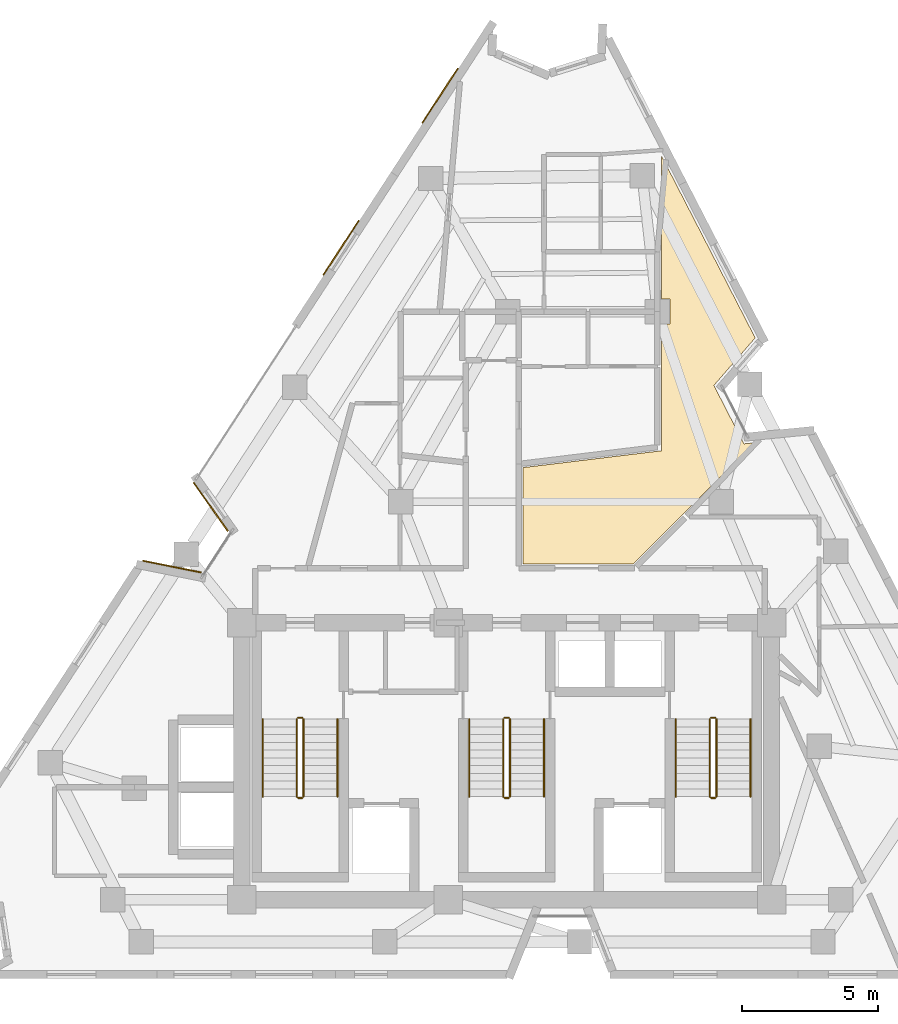
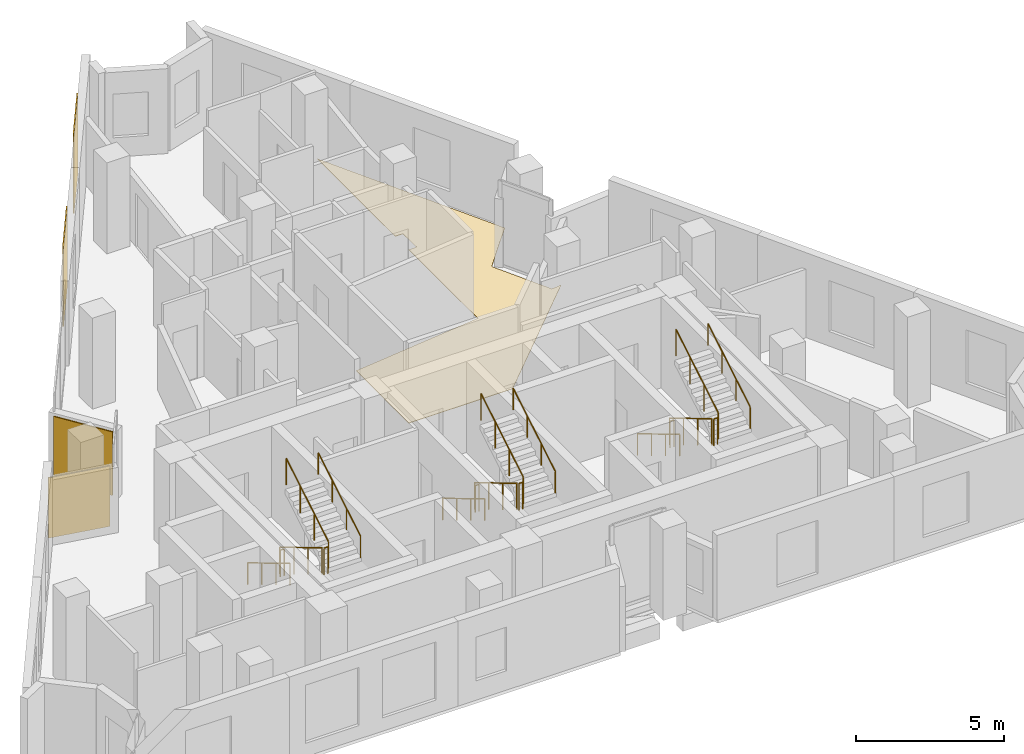
# One storey, part 9 of 9: 18 railings, 5 coverings.
"""IFC4 building model written with IfcOpenShell, lengths in metres."""

from ifc_helpers import new_model, si_unit, direction, frame, origin, origin_2d, place, context, subcontext, project, spatial, polyline, rectangle, circle, outline, extrude, material, layer, layer_set, type_object, element, save


model = new_model("IFC4")

# Units and contexts
model_context = context("Model", 3, precision=1e-05, world=origin(), true_north=direction((0.0, 1.0)))
body_context = subcontext(model_context, "Body", "Model", "MODEL_VIEW")
ifc_project = project(units=[si_unit("LENGTHUNIT", "METRE"), si_unit("AREAUNIT", "SQUARE_METRE"), si_unit("VOLUMEUNIT", "CUBIC_METRE"), si_unit("PLANEANGLEUNIT", "RADIAN"), si_unit("MASSUNIT", "GRAM", prefix="KILO")], contexts=[model_context])

# Site, building, storey
site_placement = place(None, origin())
site = spatial("IfcSite", under=ifc_project, at=site_placement, CompositionType="ELEMENT")
building_placement = place(site_placement, origin())
building = spatial("IfcBuilding", under=site, at=building_placement, Name="Almagre Mirador Tower", CompositionType="ELEMENT")
storey_placement = place(building_placement, frame((0.0, 0.0, 210.75)))
storey = spatial("IfcBuildingStorey", under=building, at=storey_placement, Name="L54", CompositionType="ELEMENT", Elevation=210.75)

# Coverings
ifc_material_1 = material(Name="Almagre terracotta architectural cladding", Category="masonry")
ifc_layer_1 = layer(ifc_material_1, 0.044921875)
ifc_layer_set_1 = layer_set([ifc_layer_1], Name="Almagre terracotta architectural cladding")
covering_type_1 = type_object("IfcCoveringType", Name="COV-CLAD-ALMAGRE", PredefinedType="CLADDING", material=ifc_layer_set_1)
covering_1_placement = place(storey_placement, frame((24.98095703125, 16.81298828125, 0.10009765625), z_axis=(0.0, 0.0, 1.0), x_axis=(0.980381414413, -0.197109822874, 0.0)))
element("IfcCovering", 1, at=covering_1_placement, inside=storey, type_object=covering_type_1, Name="L54 almagre terracotta pier cladding", PredefinedType="CLADDING", context=body_context, shape_type="SweptSolid", body=[
    extrude(rectangle(XDim=2.193115234375, YDim=0.044921875, at=origin_2d()), origin(), (0.0, 0.0, 1.0), 2.489990234375),
])
covering_2_placement = place(storey_placement, frame((26.41259765625, 19.012451171875, 0.10009765625), z_axis=(0.0, 0.0, 1.0), x_axis=(-0.576931374002, 0.816792623432, 0.0)))
element("IfcCovering", 2, at=covering_2_placement, inside=storey, type_object=covering_type_1, Name="L54 almagre terracotta pier cladding", PredefinedType="CLADDING", context=body_context, shape_type="SweptSolid", body=[
    extrude(rectangle(XDim=2.194091796875, YDim=0.044921875, at=origin_2d()), origin(), (0.0, 0.0, 1.0), 2.625),
])
for number, where, z_axis, x_axis, name in (
    (3, (31.20751953125, 28.546630859375, 0.10009765625), (0.0, 0.0, 1.0), (0.545619379119, 0.838033109805, 0.0), "L54 almagre terracotta pier cladding"),
    (4, (34.851318359375, 34.1435546875, 0.10009765625), (0.0, 0.0, 1.0), (0.545619379119, 0.838033109805, 0.0), "L54 almagre terracotta pier cladding"),
):
    element("IfcCovering", number, at=place(storey_placement, frame(where, z_axis=z_axis, x_axis=x_axis)), inside=storey, type_object=covering_type_1, Name=name, PredefinedType="CLADDING", context=body_context, shape_type="SweptSolid", body=[
        extrude(rectangle(XDim=2.39990234375, YDim=0.044921875, at=origin_2d()), origin(), (0.0, 0.0, 1.0), 3.300048828125),
    ])
ifc_material_2 = material(Name="Engineered white oak flooring", Category="wood")
ifc_layer_2 = layer(ifc_material_2, 0.01806640625)
ifc_layer_set_2 = layer_set([ifc_layer_2], Name="Engineered white oak flooring")
covering_type_2 = type_object("IfcCoveringType", Name="COV-FLR-OAK-18", PredefinedType="FLOORING", material=ifc_layer_set_2)
covering_3_placement = place(storey_placement, origin())
element("IfcCovering", 5, at=covering_3_placement, inside=storey, type_object=covering_type_2, Name="L54 L54 Residents Reading Gallery K finish flooring", PredefinedType="FLOORING", context=body_context, shape_type="SweptSolid", body=[
    extrude(outline(polyline([(37.89990234375, 20.45703125), (43.0, 21.076904296875), (43.0, 25.7451171875), (43.304931640625, 25.7451171875), (43.304931640625, 26.655029296875), (43.0, 26.655029296875), (43.0, 31.930908203125), (46.449951171875, 25.23193359375), (44.929931640625, 23.48193359375), (46.032958984375, 21.3310546875), (46.4169921875, 21.368896484375), (41.947998046875, 16.89990234375), (37.89990234375, 16.89990234375), (37.89990234375, 20.45703125)])), origin(), (0.0, 0.0, 1.0), 0.01806640625),
])

# Railings
ifc_material_3 = material(Name="Painted galvanized steel", Category="steel")
railing_type_1 = type_object("IfcRailingType", Name="RLG-GRD-1100", PredefinedType="GUARDRAIL", material=ifc_material_3)
railing_1_placement = place(storey_placement, frame((29.574951171875, 11.199951171875, 0.17041015625)))
element("IfcRailing", 6, at=railing_1_placement, inside=storey, type_object=railing_type_1, Name="L54 ST-1 stair guard 1", PredefinedType="GUARDRAIL", context=body_context, shape_type="SweptSolid", body=[
    extrude(circle(Radius=0.02392578125, at=origin_2d()), frame((0.0, 0.0, 1.09619140625), z_axis=(0.0, -0.858199205511, 0.513316786848), x_axis=(1.0, 0.0, 0.0)), (0.0, 0.0, 1.0), 3.32080078125),
    extrude(circle(Radius=0.02099609375, at=origin_2d()), origin(), (0.0, 0.0, 1.0), 1.072021484375),
    extrude(circle(Radius=0.02099609375, at=origin_2d()), frame((0.0, -0.949951171875, 0.568115234375)), (0.0, 0.0, 1.0), 1.072021484375),
    extrude(circle(Radius=0.02099609375, at=origin_2d()), frame((0.0, -1.89990234375, 1.136474609375)), (0.0, 0.0, 1.0), 1.072021484375),
    extrude(circle(Radius=0.02099609375, at=origin_2d()), frame((0.0, -2.849853515625, 1.70458984375)), (0.0, 0.0, 1.0), 1.072021484375),
])
railing_2_placement = place(storey_placement, frame((29.625, 8.300048828125, 1.875)))
element("IfcRailing", 7, at=railing_2_placement, inside=storey, type_object=railing_type_1, Name="L54 ST-1 stair guard 2", PredefinedType="GUARDRAIL", context=body_context, shape_type="SweptSolid", body=[
    extrude(circle(Radius=0.02392578125, at=origin_2d()), frame((0.0, 0.0, 1.09619140625), z_axis=(1.0, 0.0, 0.0), x_axis=(0.0, 1.0, 0.0)), (0.0, 0.0, 1.0), 0.14990234375),
    extrude(circle(Radius=0.02099609375, at=origin_2d()), origin(), (0.0, 0.0, 1.0), 1.072021484375),
    extrude(circle(Radius=0.02099609375, at=origin_2d()), frame((0.14990234375, 0.0, 0.0)), (0.0, 0.0, 1.0), 1.072021484375),
])
railing_3_placement = place(storey_placement, frame((29.824951171875, 8.35009765625, 2.04541015625)))
element("IfcRailing", 8, at=railing_3_placement, inside=storey, type_object=railing_type_1, Name="L54 ST-1 stair guard 3", PredefinedType="GUARDRAIL", context=body_context, shape_type="SweptSolid", body=[
    extrude(circle(Radius=0.02392578125, at=origin_2d()), frame((0.0, 0.0, 1.09619140625), z_axis=(0.0, 0.858199205511, 0.513316786848), x_axis=(-1.0, 0.0, 0.0)), (0.0, 0.0, 1.0), 3.32080078125),
    extrude(circle(Radius=0.02099609375, at=origin_2d()), origin(), (0.0, 0.0, 1.0), 1.072021484375),
    extrude(circle(Radius=0.02099609375, at=origin_2d()), frame((0.0, 0.949951171875, 0.568115234375)), (0.0, 0.0, 1.0), 1.072021484375),
    extrude(circle(Radius=0.02099609375, at=origin_2d()), frame((0.0, 1.89990234375, 1.136474609375)), (0.0, 0.0, 1.0), 1.072021484375),
    extrude(circle(Radius=0.02099609375, at=origin_2d()), frame((0.0, 2.849853515625, 1.70458984375)), (0.0, 0.0, 1.0), 1.072021484375),
])
railing_4_placement = place(storey_placement, frame((29.625, 11.25, 0.0)))
element("IfcRailing", 9, at=railing_4_placement, inside=storey, type_object=railing_type_1, Name="L54 ST-1 stair guard 4", PredefinedType="GUARDRAIL", context=body_context, shape_type="SweptSolid", body=[
    extrude(circle(Radius=0.02392578125, at=origin_2d()), frame((0.0, 0.0, 1.09619140625), z_axis=(1.0, 0.0, 0.0), x_axis=(0.0, 1.0, 0.0)), (0.0, 0.0, 1.0), 0.14990234375),
    extrude(circle(Radius=0.02099609375, at=origin_2d()), origin(), (0.0, 0.0, 1.0), 1.072021484375),
    extrude(circle(Radius=0.02099609375, at=origin_2d()), frame((0.14990234375, 0.0, 0.0)), (0.0, 0.0, 1.0), 1.072021484375),
])
railing_5_placement = place(storey_placement, frame((37.175048828125, 11.199951171875, 0.17041015625)))
element("IfcRailing", 10, at=railing_5_placement, inside=storey, type_object=railing_type_1, Name="L54 ST-2 stair guard 1", PredefinedType="GUARDRAIL", context=body_context, shape_type="SweptSolid", body=[
    extrude(circle(Radius=0.02392578125, at=origin_2d()), frame((0.0, 0.0, 1.09619140625), z_axis=(0.0, -0.858199205511, 0.513316786848), x_axis=(1.0, 0.0, 0.0)), (0.0, 0.0, 1.0), 3.32080078125),
    extrude(circle(Radius=0.02099609375, at=origin_2d()), origin(), (0.0, 0.0, 1.0), 1.072021484375),
    extrude(circle(Radius=0.02099609375, at=origin_2d()), frame((0.0, -0.949951171875, 0.568115234375)), (0.0, 0.0, 1.0), 1.072021484375),
    extrude(circle(Radius=0.02099609375, at=origin_2d()), frame((0.0, -1.89990234375, 1.136474609375)), (0.0, 0.0, 1.0), 1.072021484375),
    extrude(circle(Radius=0.02099609375, at=origin_2d()), frame((0.0, -2.849853515625, 1.70458984375)), (0.0, 0.0, 1.0), 1.072021484375),
])
railing_6_placement = place(storey_placement, frame((37.22509765625, 8.300048828125, 1.875)))
element("IfcRailing", 11, at=railing_6_placement, inside=storey, type_object=railing_type_1, Name="L54 ST-2 stair guard 2", PredefinedType="GUARDRAIL", context=body_context, shape_type="SweptSolid", body=[
    extrude(circle(Radius=0.02392578125, at=origin_2d()), frame((0.0, 0.0, 1.09619140625), z_axis=(1.0, 0.0, 0.0), x_axis=(0.0, 1.0, 0.0)), (0.0, 0.0, 1.0), 0.14990234375),
    extrude(circle(Radius=0.02099609375, at=origin_2d()), origin(), (0.0, 0.0, 1.0), 1.072021484375),
    extrude(circle(Radius=0.02099609375, at=origin_2d()), frame((0.14990234375, 0.0, 0.0)), (0.0, 0.0, 1.0), 1.072021484375),
])
railing_7_placement = place(storey_placement, frame((37.425048828125, 8.35009765625, 2.04541015625)))
element("IfcRailing", 12, at=railing_7_placement, inside=storey, type_object=railing_type_1, Name="L54 ST-2 stair guard 3", PredefinedType="GUARDRAIL", context=body_context, shape_type="SweptSolid", body=[
    extrude(circle(Radius=0.02392578125, at=origin_2d()), frame((0.0, 0.0, 1.09619140625), z_axis=(0.0, 0.858199205511, 0.513316786848), x_axis=(-1.0, 0.0, 0.0)), (0.0, 0.0, 1.0), 3.32080078125),
    extrude(circle(Radius=0.02099609375, at=origin_2d()), origin(), (0.0, 0.0, 1.0), 1.072021484375),
    extrude(circle(Radius=0.02099609375, at=origin_2d()), frame((0.0, 0.949951171875, 0.568115234375)), (0.0, 0.0, 1.0), 1.072021484375),
    extrude(circle(Radius=0.02099609375, at=origin_2d()), frame((0.0, 1.89990234375, 1.136474609375)), (0.0, 0.0, 1.0), 1.072021484375),
    extrude(circle(Radius=0.02099609375, at=origin_2d()), frame((0.0, 2.849853515625, 1.70458984375)), (0.0, 0.0, 1.0), 1.072021484375),
])
railing_8_placement = place(storey_placement, frame((37.22509765625, 11.25, 0.0)))
element("IfcRailing", 13, at=railing_8_placement, inside=storey, type_object=railing_type_1, Name="L54 ST-2 stair guard 4", PredefinedType="GUARDRAIL", context=body_context, shape_type="SweptSolid", body=[
    extrude(circle(Radius=0.02392578125, at=origin_2d()), frame((0.0, 0.0, 1.09619140625), z_axis=(1.0, 0.0, 0.0), x_axis=(0.0, 1.0, 0.0)), (0.0, 0.0, 1.0), 0.14990234375),
    extrude(circle(Radius=0.02099609375, at=origin_2d()), origin(), (0.0, 0.0, 1.0), 1.072021484375),
    extrude(circle(Radius=0.02099609375, at=origin_2d()), frame((0.14990234375, 0.0, 0.0)), (0.0, 0.0, 1.0), 1.072021484375),
])
railing_9_placement = place(storey_placement, frame((44.77490234375, 11.199951171875, 0.17041015625)))
element("IfcRailing", 14, at=railing_9_placement, inside=storey, type_object=railing_type_1, Name="L54 ST-3 stair guard 1", PredefinedType="GUARDRAIL", context=body_context, shape_type="SweptSolid", body=[
    extrude(circle(Radius=0.02392578125, at=origin_2d()), frame((0.0, 0.0, 1.09619140625), z_axis=(0.0, -0.858199205511, 0.513316786848), x_axis=(1.0, 0.0, 0.0)), (0.0, 0.0, 1.0), 3.32080078125),
    extrude(circle(Radius=0.02099609375, at=origin_2d()), origin(), (0.0, 0.0, 1.0), 1.072021484375),
    extrude(circle(Radius=0.02099609375, at=origin_2d()), frame((0.0, -0.949951171875, 0.568115234375)), (0.0, 0.0, 1.0), 1.072021484375),
    extrude(circle(Radius=0.02099609375, at=origin_2d()), frame((0.0, -1.89990234375, 1.136474609375)), (0.0, 0.0, 1.0), 1.072021484375),
    extrude(circle(Radius=0.02099609375, at=origin_2d()), frame((0.0, -2.849853515625, 1.70458984375)), (0.0, 0.0, 1.0), 1.072021484375),
])
railing_10_placement = place(storey_placement, frame((44.824951171875, 8.300048828125, 1.875)))
element("IfcRailing", 15, at=railing_10_placement, inside=storey, type_object=railing_type_1, Name="L54 ST-3 stair guard 2", PredefinedType="GUARDRAIL", context=body_context, shape_type="SweptSolid", body=[
    extrude(circle(Radius=0.02392578125, at=origin_2d()), frame((0.0, 0.0, 1.09619140625), z_axis=(1.0, 0.0, 0.0), x_axis=(0.0, 1.0, 0.0)), (0.0, 0.0, 1.0), 0.150146484375),
    extrude(circle(Radius=0.02099609375, at=origin_2d()), origin(), (0.0, 0.0, 1.0), 1.072021484375),
    extrude(circle(Radius=0.02099609375, at=origin_2d()), frame((0.150146484375, 0.0, 0.0)), (0.0, 0.0, 1.0), 1.072021484375),
])
railing_11_placement = place(storey_placement, frame((45.02490234375, 8.35009765625, 2.04541015625)))
element("IfcRailing", 16, at=railing_11_placement, inside=storey, type_object=railing_type_1, Name="L54 ST-3 stair guard 3", PredefinedType="GUARDRAIL", context=body_context, shape_type="SweptSolid", body=[
    extrude(circle(Radius=0.02392578125, at=origin_2d()), frame((0.0, 0.0, 1.09619140625), z_axis=(0.0, 0.858199205511, 0.513316786848), x_axis=(-1.0, 0.0, 0.0)), (0.0, 0.0, 1.0), 3.32080078125),
    extrude(circle(Radius=0.02099609375, at=origin_2d()), origin(), (0.0, 0.0, 1.0), 1.072021484375),
    extrude(circle(Radius=0.02099609375, at=origin_2d()), frame((0.0, 0.949951171875, 0.568115234375)), (0.0, 0.0, 1.0), 1.072021484375),
    extrude(circle(Radius=0.02099609375, at=origin_2d()), frame((0.0, 1.89990234375, 1.136474609375)), (0.0, 0.0, 1.0), 1.072021484375),
    extrude(circle(Radius=0.02099609375, at=origin_2d()), frame((0.0, 2.849853515625, 1.70458984375)), (0.0, 0.0, 1.0), 1.072021484375),
])
railing_12_placement = place(storey_placement, frame((44.824951171875, 11.25, 0.0)))
element("IfcRailing", 17, at=railing_12_placement, inside=storey, type_object=railing_type_1, Name="L54 ST-3 stair guard 4", PredefinedType="GUARDRAIL", context=body_context, shape_type="SweptSolid", body=[
    extrude(circle(Radius=0.02392578125, at=origin_2d()), frame((0.0, 0.0, 1.09619140625), z_axis=(1.0, 0.0, 0.0), x_axis=(0.0, 1.0, 0.0)), (0.0, 0.0, 1.0), 0.150146484375),
    extrude(circle(Radius=0.02099609375, at=origin_2d()), origin(), (0.0, 0.0, 1.0), 1.072021484375),
    extrude(circle(Radius=0.02099609375, at=origin_2d()), frame((0.150146484375, 0.0, 0.0)), (0.0, 0.0, 1.0), 1.072021484375),
])
ifc_material_4 = material(Name="Brushed stainless steel", Category="steel")
railing_type_2 = type_object("IfcRailingType", Name="RLG-HND-915", PredefinedType="HANDRAIL", material=ifc_material_4)
railing_13_placement = place(storey_placement, frame((28.324951171875, 11.199951171875, 0.17041015625)))
element("IfcRailing", 18, at=railing_13_placement, inside=storey, type_object=railing_type_2, Name="L54 ST-1 stair handrail 1", PredefinedType="HANDRAIL", context=body_context, shape_type="SweptSolid", body=[
    extrude(circle(Radius=0.02392578125, at=origin_2d()), frame((0.0, 0.0, 0.89111328125), z_axis=(0.0, -0.858199205511, 0.513316786848), x_axis=(1.0, 0.0, 0.0)), (0.0, 0.0, 1.0), 3.32080078125),
    extrude(circle(Radius=0.02099609375, at=origin_2d()), origin(), (0.0, 0.0, 1.0), 0.866943359375),
    extrude(circle(Radius=0.02099609375, at=origin_2d()), frame((0.0, -0.949951171875, 0.568115234375)), (0.0, 0.0, 1.0), 0.866943359375),
    extrude(circle(Radius=0.02099609375, at=origin_2d()), frame((0.0, -1.89990234375, 1.136474609375)), (0.0, 0.0, 1.0), 0.866943359375),
    extrude(circle(Radius=0.02099609375, at=origin_2d()), frame((0.0, -2.849853515625, 1.70458984375)), (0.0, 0.0, 1.0), 0.866943359375),
])
railing_14_placement = place(storey_placement, frame((31.074951171875, 8.35009765625, 2.04541015625)))
element("IfcRailing", 19, at=railing_14_placement, inside=storey, type_object=railing_type_2, Name="L54 ST-1 stair handrail 2", PredefinedType="HANDRAIL", context=body_context, shape_type="SweptSolid", body=[
    extrude(circle(Radius=0.02392578125, at=origin_2d()), frame((0.0, 0.0, 0.89111328125), z_axis=(0.0, 0.858199205511, 0.513316786848), x_axis=(-1.0, 0.0, 0.0)), (0.0, 0.0, 1.0), 3.32080078125),
    extrude(circle(Radius=0.02099609375, at=origin_2d()), origin(), (0.0, 0.0, 1.0), 0.866943359375),
    extrude(circle(Radius=0.02099609375, at=origin_2d()), frame((0.0, 0.949951171875, 0.568115234375)), (0.0, 0.0, 1.0), 0.866943359375),
    extrude(circle(Radius=0.02099609375, at=origin_2d()), frame((0.0, 1.89990234375, 1.136474609375)), (0.0, 0.0, 1.0), 0.866943359375),
    extrude(circle(Radius=0.02099609375, at=origin_2d()), frame((0.0, 2.849853515625, 1.70458984375)), (0.0, 0.0, 1.0), 0.866943359375),
])
railing_15_placement = place(storey_placement, frame((35.925048828125, 11.199951171875, 0.17041015625)))
element("IfcRailing", 20, at=railing_15_placement, inside=storey, type_object=railing_type_2, Name="L54 ST-2 stair handrail 1", PredefinedType="HANDRAIL", context=body_context, shape_type="SweptSolid", body=[
    extrude(circle(Radius=0.02392578125, at=origin_2d()), frame((0.0, 0.0, 0.89111328125), z_axis=(0.0, -0.858199205511, 0.513316786848), x_axis=(1.0, 0.0, 0.0)), (0.0, 0.0, 1.0), 3.32080078125),
    extrude(circle(Radius=0.02099609375, at=origin_2d()), origin(), (0.0, 0.0, 1.0), 0.866943359375),
    extrude(circle(Radius=0.02099609375, at=origin_2d()), frame((0.0, -0.949951171875, 0.568115234375)), (0.0, 0.0, 1.0), 0.866943359375),
    extrude(circle(Radius=0.02099609375, at=origin_2d()), frame((0.0, -1.89990234375, 1.136474609375)), (0.0, 0.0, 1.0), 0.866943359375),
    extrude(circle(Radius=0.02099609375, at=origin_2d()), frame((0.0, -2.849853515625, 1.70458984375)), (0.0, 0.0, 1.0), 0.866943359375),
])
railing_16_placement = place(storey_placement, frame((38.675048828125, 8.35009765625, 2.04541015625)))
element("IfcRailing", 21, at=railing_16_placement, inside=storey, type_object=railing_type_2, Name="L54 ST-2 stair handrail 2", PredefinedType="HANDRAIL", context=body_context, shape_type="SweptSolid", body=[
    extrude(circle(Radius=0.02392578125, at=origin_2d()), frame((0.0, 0.0, 0.89111328125), z_axis=(0.0, 0.858199205511, 0.513316786848), x_axis=(-1.0, 0.0, 0.0)), (0.0, 0.0, 1.0), 3.32080078125),
    extrude(circle(Radius=0.02099609375, at=origin_2d()), origin(), (0.0, 0.0, 1.0), 0.866943359375),
    extrude(circle(Radius=0.02099609375, at=origin_2d()), frame((0.0, 0.949951171875, 0.568115234375)), (0.0, 0.0, 1.0), 0.866943359375),
    extrude(circle(Radius=0.02099609375, at=origin_2d()), frame((0.0, 1.89990234375, 1.136474609375)), (0.0, 0.0, 1.0), 0.866943359375),
    extrude(circle(Radius=0.02099609375, at=origin_2d()), frame((0.0, 2.849853515625, 1.70458984375)), (0.0, 0.0, 1.0), 0.866943359375),
])
railing_17_placement = place(storey_placement, frame((43.52490234375, 11.199951171875, 0.17041015625)))
element("IfcRailing", 22, at=railing_17_placement, inside=storey, type_object=railing_type_2, Name="L54 ST-3 stair handrail 1", PredefinedType="HANDRAIL", context=body_context, shape_type="SweptSolid", body=[
    extrude(circle(Radius=0.02392578125, at=origin_2d()), frame((0.0, 0.0, 0.89111328125), z_axis=(0.0, -0.858199205511, 0.513316786848), x_axis=(1.0, 0.0, 0.0)), (0.0, 0.0, 1.0), 3.32080078125),
    extrude(circle(Radius=0.02099609375, at=origin_2d()), origin(), (0.0, 0.0, 1.0), 0.866943359375),
    extrude(circle(Radius=0.02099609375, at=origin_2d()), frame((0.0, -0.949951171875, 0.568115234375)), (0.0, 0.0, 1.0), 0.866943359375),
    extrude(circle(Radius=0.02099609375, at=origin_2d()), frame((0.0, -1.89990234375, 1.136474609375)), (0.0, 0.0, 1.0), 0.866943359375),
    extrude(circle(Radius=0.02099609375, at=origin_2d()), frame((0.0, -2.849853515625, 1.70458984375)), (0.0, 0.0, 1.0), 0.866943359375),
])
railing_18_placement = place(storey_placement, frame((46.27490234375, 8.35009765625, 2.04541015625)))
element("IfcRailing", 23, at=railing_18_placement, inside=storey, type_object=railing_type_2, Name="L54 ST-3 stair handrail 2", PredefinedType="HANDRAIL", context=body_context, shape_type="SweptSolid", body=[
    extrude(circle(Radius=0.02392578125, at=origin_2d()), frame((0.0, 0.0, 0.89111328125), z_axis=(0.0, 0.858199205511, 0.513316786848), x_axis=(-1.0, 0.0, 0.0)), (0.0, 0.0, 1.0), 3.32080078125),
    extrude(circle(Radius=0.02099609375, at=origin_2d()), origin(), (0.0, 0.0, 1.0), 0.866943359375),
    extrude(circle(Radius=0.02099609375, at=origin_2d()), frame((0.0, 0.949951171875, 0.568115234375)), (0.0, 0.0, 1.0), 0.866943359375),
    extrude(circle(Radius=0.02099609375, at=origin_2d()), frame((0.0, 1.89990234375, 1.136474609375)), (0.0, 0.0, 1.0), 0.866943359375),
    extrude(circle(Radius=0.02099609375, at=origin_2d()), frame((0.0, 2.849853515625, 1.70458984375)), (0.0, 0.0, 1.0), 0.866943359375),
])

save(model, "model.ifc")
